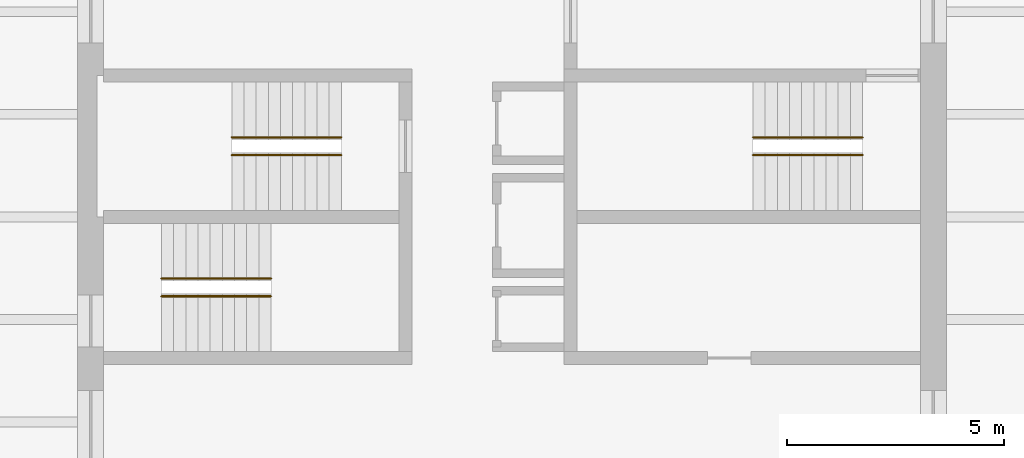
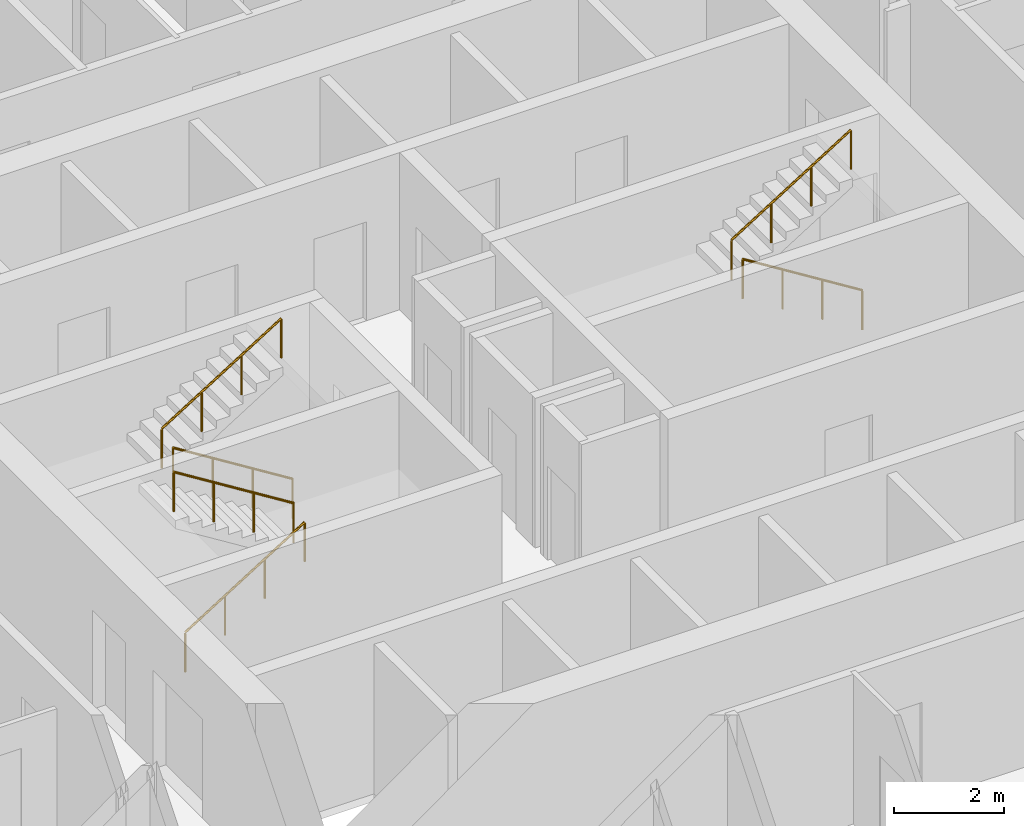
# One storey, part 9 of 9: 6 railings.
"""IFC4 building model written with IfcOpenShell, lengths in metres."""

from ifc_helpers import new_model, si_unit, direction, frame, origin, origin_2d, place, context, subcontext, project, spatial, circle, extrude, material, type_object, element, save


model = new_model("IFC4")

# Units and contexts
model_context = context("Model", 3, precision=1e-05, world=origin(), true_north=direction((0.0, 1.0)))
body_context = subcontext(model_context, "Body", "Model", "MODEL_VIEW")
ifc_project = project(units=[si_unit("LENGTHUNIT", "METRE"), si_unit("AREAUNIT", "SQUARE_METRE"), si_unit("VOLUMEUNIT", "CUBIC_METRE"), si_unit("PLANEANGLEUNIT", "RADIAN"), si_unit("MASSUNIT", "GRAM", prefix="KILO")], contexts=[model_context])

# Site, building, storey
site_placement = place(None, origin())
site = spatial("IfcSite", under=ifc_project, at=site_placement, CompositionType="ELEMENT")
building_placement = place(site_placement, origin())
building = spatial("IfcBuilding", under=site, at=building_placement, Name="Turquesa Mirador Hotel Tower", CompositionType="ELEMENT")
storey_placement = place(building_placement, frame((0.0, 0.0, 49.5)))
storey = spatial("IfcBuildingStorey", under=building, at=storey_placement, Name="L12", CompositionType="ELEMENT", Elevation=49.5)

# Railings
ifc_material = material(Name="Painted steel handrail", Category="steel")
railing_type = type_object("IfcRailingType", Name="HANDRAIL 900 STEEL", PredefinedType="HANDRAIL", material=ifc_material)
railing_1_placement = place(storey_placement, frame((51.070068359375, 46.419921875, 0.175048828125)))
element("IfcRailing", 1, at=railing_1_placement, inside=storey, type_object=railing_type, Name="Handrail ST1", PredefinedType="HANDRAIL", context=body_context, shape_type="SweptSolid", body=[
    extrude(circle(Radius=0.02392578125, at=origin_2d()), frame((0.0, 0.0, 0.8759765625), z_axis=(-0.848007534815, 0.0, 0.529984170421), x_axis=(0.0, -1.0, 0.0)), (0.0, 0.0, 1.0), 2.9716796875),
    extrude(circle(Radius=0.02099609375, at=origin_2d()), origin(), (0.0, 0.0, 1.0), 0.851806640625),
    extrude(circle(Radius=0.02099609375, at=origin_2d()), frame((-0.840087890625, 0.0, 0.52490234375)), (0.0, 0.0, 1.0), 0.851806640625),
    extrude(circle(Radius=0.02099609375, at=origin_2d()), frame((-1.679931640625, 0.0, 1.050048828125)), (0.0, 0.0, 1.0), 0.851806640625),
    extrude(circle(Radius=0.02099609375, at=origin_2d()), frame((-2.52001953125, 0.0, 1.574951171875)), (0.0, 0.0, 1.0), 0.851806640625),
])
for number, where, name in (
    (2, (48.550048828125, 46.830078125, 1.925048828125), "Handrail ST1"),
    (3, (46.929931640625, 43.169921875, 0.175048828125), "Handrail ST2"),
):
    element("IfcRailing", number, at=place(storey_placement, frame(where)), inside=storey, type_object=railing_type, Name=name, PredefinedType="HANDRAIL", context=body_context, shape_type="SweptSolid", body=[
        extrude(circle(Radius=0.02392578125, at=origin_2d()), frame((0.0, 0.0, 0.8759765625), z_axis=(0.848007534815, 0.0, 0.529984170421), x_axis=(0.0, 1.0, 0.0)), (0.0, 0.0, 1.0), 2.9716796875),
        extrude(circle(Radius=0.02099609375, at=origin_2d()), origin(), (0.0, 0.0, 1.0), 0.851806640625),
        extrude(circle(Radius=0.02099609375, at=origin_2d()), frame((0.840087890625, 0.0, 0.52490234375)), (0.0, 0.0, 1.0), 0.851806640625),
        extrude(circle(Radius=0.02099609375, at=origin_2d()), frame((1.679931640625, 0.0, 1.050048828125)), (0.0, 0.0, 1.0), 0.851806640625),
        extrude(circle(Radius=0.02099609375, at=origin_2d()), frame((2.52001953125, 0.0, 1.574951171875)), (0.0, 0.0, 1.0), 0.851806640625),
    ])
for number, where, name in (
    (4, (49.449951171875, 43.580078125, 1.925048828125), "Handrail ST2"),
    (5, (63.070068359375, 46.419921875, 0.175048828125), "Handrail ST3"),
):
    element("IfcRailing", number, at=place(storey_placement, frame(where)), inside=storey, type_object=railing_type, Name=name, PredefinedType="HANDRAIL", context=body_context, shape_type="SweptSolid", body=[
        extrude(circle(Radius=0.02392578125, at=origin_2d()), frame((0.0, 0.0, 0.8759765625), z_axis=(-0.848007534815, 0.0, 0.529984170421), x_axis=(0.0, -1.0, 0.0)), (0.0, 0.0, 1.0), 2.9716796875),
        extrude(circle(Radius=0.02099609375, at=origin_2d()), origin(), (0.0, 0.0, 1.0), 0.851806640625),
        extrude(circle(Radius=0.02099609375, at=origin_2d()), frame((-0.840087890625, 0.0, 0.52490234375)), (0.0, 0.0, 1.0), 0.851806640625),
        extrude(circle(Radius=0.02099609375, at=origin_2d()), frame((-1.679931640625, 0.0, 1.050048828125)), (0.0, 0.0, 1.0), 0.851806640625),
        extrude(circle(Radius=0.02099609375, at=origin_2d()), frame((-2.52001953125, 0.0, 1.574951171875)), (0.0, 0.0, 1.0), 0.851806640625),
    ])
railing_2_placement = place(storey_placement, frame((60.550048828125, 46.830078125, 1.925048828125)))
element("IfcRailing", 6, at=railing_2_placement, inside=storey, type_object=railing_type, Name="Handrail ST3", PredefinedType="HANDRAIL", context=body_context, shape_type="SweptSolid", body=[
    extrude(circle(Radius=0.02392578125, at=origin_2d()), frame((0.0, 0.0, 0.8759765625), z_axis=(0.848007534815, 0.0, 0.529984170421), x_axis=(0.0, 1.0, 0.0)), (0.0, 0.0, 1.0), 2.9716796875),
    extrude(circle(Radius=0.02099609375, at=origin_2d()), origin(), (0.0, 0.0, 1.0), 0.851806640625),
    extrude(circle(Radius=0.02099609375, at=origin_2d()), frame((0.840087890625, 0.0, 0.52490234375)), (0.0, 0.0, 1.0), 0.851806640625),
    extrude(circle(Radius=0.02099609375, at=origin_2d()), frame((1.679931640625, 0.0, 1.050048828125)), (0.0, 0.0, 1.0), 0.851806640625),
    extrude(circle(Radius=0.02099609375, at=origin_2d()), frame((2.52001953125, 0.0, 1.574951171875)), (0.0, 0.0, 1.0), 0.851806640625),
])

save(model, "model.ifc")
